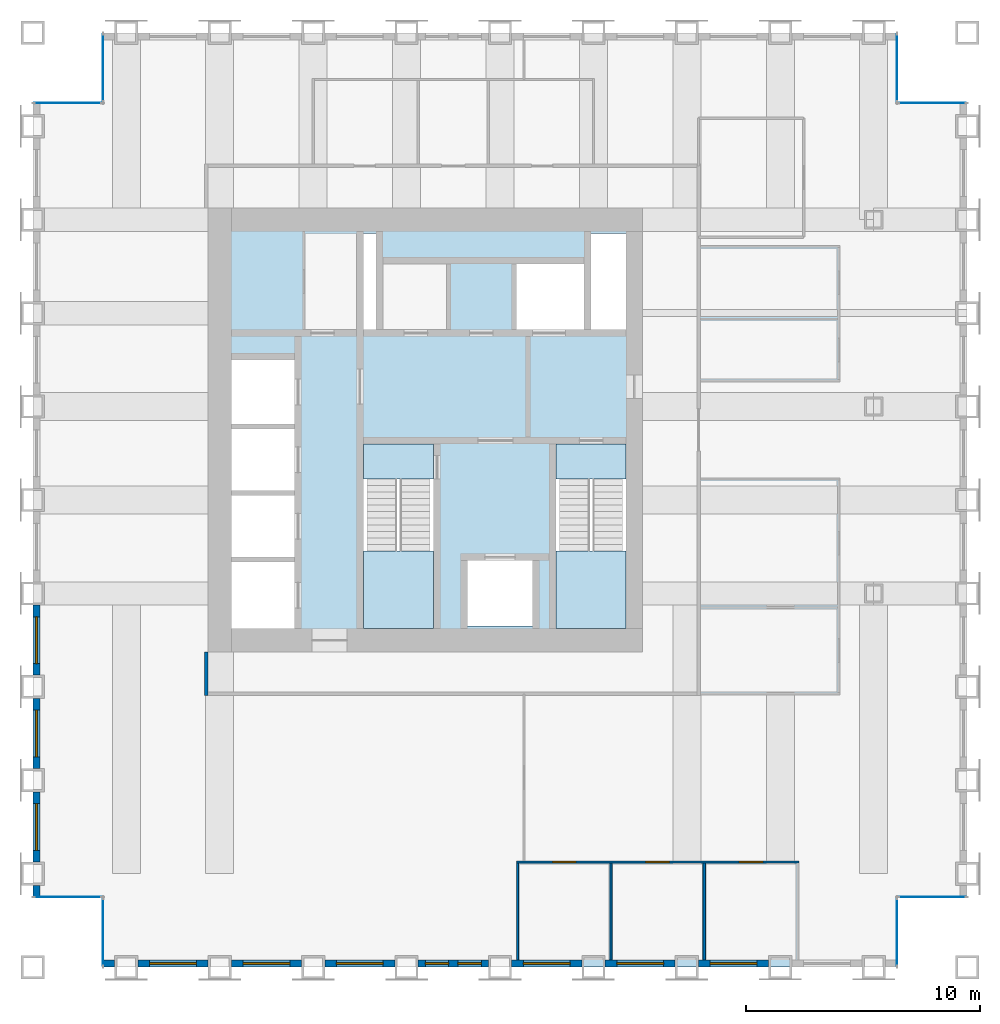
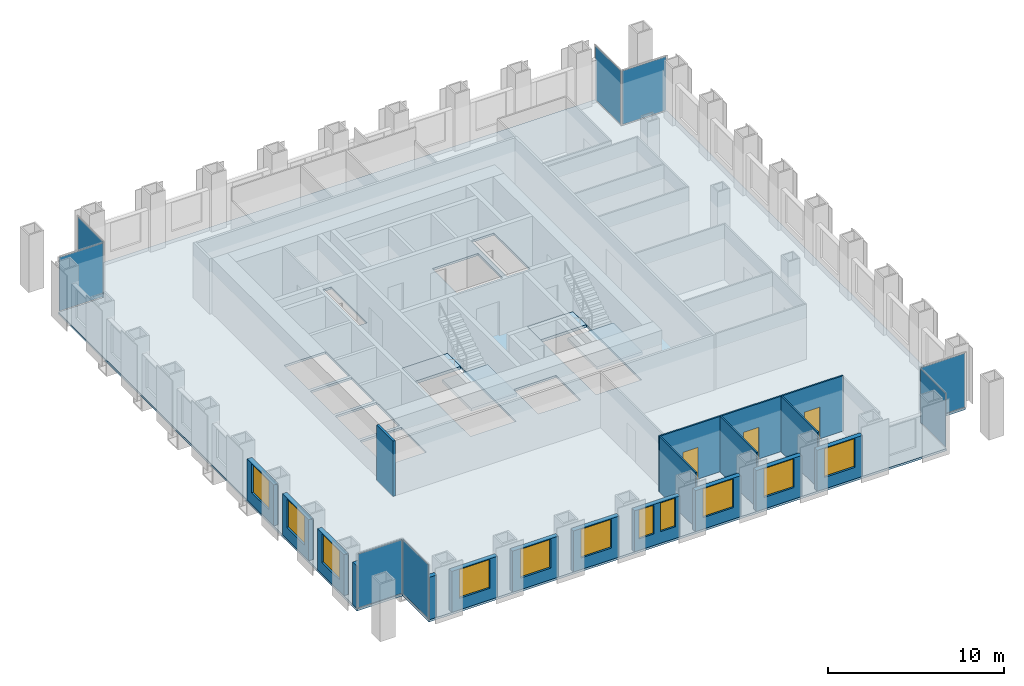
# One storey, part 7 of 11: 17 walls, 11 windows, 8 plates, 5 slabs, 3 doors, 14 openings, 10 elements without a shape of their own.
"""IFC4 building model written with IfcOpenShell, lengths in metres."""

from ifc_helpers import new_model, si_unit, direction, frame, frame_2d, origin, origin_2d, place, context, subcontext, project, spatial, polyline, rectangle, outline, extrude, material, layer, layer_set, type_object, element, fill, aggregate, save


model = new_model("IFC4")

# Units and contexts
model_context = context("Model", 3, precision=1e-05, world=origin(), true_north=direction((0.0, 1.0)))
body_context = subcontext(model_context, "Body", "Model", "MODEL_VIEW")
ifc_project = project(units=[si_unit("LENGTHUNIT", "METRE"), si_unit("AREAUNIT", "SQUARE_METRE"), si_unit("VOLUMEUNIT", "CUBIC_METRE"), si_unit("PLANEANGLEUNIT", "RADIAN"), si_unit("MASSUNIT", "GRAM", prefix="KILO")], contexts=[model_context])

# Site, building, storey
site_placement = place(None, origin())
site = spatial("IfcSite", under=ifc_project, at=site_placement, CompositionType="ELEMENT")
building_placement = place(site_placement, origin())
building = spatial("IfcBuilding", under=site, at=building_placement, Name="Rimbunsela Tower", CompositionType="ELEMENT")
storey_placement = place(building_placement, frame((0.0, 0.0, 242.199951171875)))
storey = spatial("IfcBuildingStorey", under=building, at=storey_placement, Name="L58", CompositionType="ELEMENT", Elevation=242.199951171875)

# Slab
ifc_material_1 = material(Name="Concrete fc' 35 MPa", Category="concrete")
ifc_layer_1 = layer(ifc_material_1, 0.14990234375)
ifc_layer_set_1 = layer_set([ifc_layer_1], Name="Floor slab 150")
slab_type_1 = type_object("IfcSlabType", Name="Floor slab 150", PredefinedType="FLOOR", material=ifc_layer_set_1)
slab_1_placement = place(storey_placement, frame((0.0, 0.0, -0.14990234375)))
element("IfcSlab", 1, at=slab_1_placement, inside=storey, type_object=slab_type_1, Name="Floor slab L58", PredefinedType="FLOOR", context=body_context, shape_type="SweptSolid", body=[
    extrude(outline(polyline([(13.0, 4.0), (47.0, 4.0), (47.0, 7.0), (50.0, 7.0), (50.0, 41.0), (47.0, 41.0), (47.0, 44.0), (13.0, 44.0), (13.0, 41.0), (10.0, 41.0), (10.0, 7.0), (13.0, 7.0), (13.0, 4.0)]), holes=[polyline([(21.199951171875, 21.35009765625), (18.5, 21.35009765625), (18.5, 18.5), (21.199951171875, 18.5), (21.199951171875, 21.35009765625)]), polyline([(21.199951171875, 21.550048828125), (21.199951171875, 24.199951171875), (18.5, 24.199951171875), (18.5, 21.550048828125), (21.199951171875, 21.550048828125)]), polyline([(21.199951171875, 27.050048828125), (18.5, 27.050048828125), (18.5, 24.39990234375), (21.199951171875, 24.39990234375), (21.199951171875, 27.050048828125)]), polyline([(21.199951171875, 30.0), (18.5, 30.0), (18.5, 27.25), (21.199951171875, 27.25), (21.199951171875, 30.0)]), polyline([(27.14990234375, 26.39990234375), (24.14990234375, 26.39990234375), (24.14990234375, 18.60009765625), (27.14990234375, 18.60009765625), (27.14990234375, 26.39990234375)]), polyline([(24.699951171875, 31.300048828125), (24.699951171875, 35.39990234375), (24.14990234375, 35.39990234375), (24.14990234375, 31.300048828125), (24.699951171875, 31.300048828125)]), polyline([(31.39990234375, 21.39990234375), (28.60009765625, 21.39990234375), (28.60009765625, 18.60009765625), (31.39990234375, 18.60009765625), (31.39990234375, 21.39990234375)]), polyline([(33.60009765625, 34.10009765625), (30.60009765625, 34.10009765625), (30.60009765625, 31.300048828125), (33.60009765625, 31.300048828125), (33.60009765625, 34.10009765625)]), polyline([(35.39990234375, 18.60009765625), (35.39990234375, 26.39990234375), (32.39990234375, 26.39990234375), (32.39990234375, 18.60009765625), (35.39990234375, 18.60009765625)]), polyline([(35.39990234375, 31.300048828125), (35.39990234375, 35.39990234375), (33.89990234375, 35.39990234375), (33.89990234375, 31.300048828125), (35.39990234375, 31.300048828125)])]), origin(), (0.0, 0.0, 1.0), 0.14990234375),
])

# Curtain wall, plate
ifc_material_2 = material(Name="Aluminium curtain wall", Category="aluminium")
curtain_wall_type = type_object("IfcCurtainWallType", Name="Corner glazing", PredefinedType="USERDEFINED", material=ifc_material_2)
curtain_wall_1_placement = place(storey_placement, origin())
curtain_wall_1 = element("IfcCurtainWall", 2, at=curtain_wall_1_placement, inside=storey, type_object=curtain_wall_type, Name="Corner glazing L58", ObjectType="CORNER GLAZING", PredefinedType="USERDEFINED")
ifc_material_3 = material(Name="Clear double glazing", Category="glass")
ifc_layer_2 = layer(ifc_material_3, 0.028076171875)
ifc_layer_set_2 = layer_set([ifc_layer_2], Name="Glazed panel clear")
plate_type = type_object("IfcPlateType", Name="Glazed panel clear", PredefinedType="CURTAIN_PANEL", material=ifc_layer_set_2)
plate_1_placement = place(storey_placement, frame((47.0, 5.5, 0.06005859375), z_axis=(0.0, 0.0, 1.0), x_axis=(0.0, 1.0, 0.0)))
plate_1 = element("IfcPlate", 3, at=plate_1_placement, type_object=plate_type, Name="CW5 panel 1.1", PredefinedType="CURTAIN_PANEL", context=body_context, shape_type="SweptSolid", body=[
    extrude(rectangle(XDim=2.8798828125, YDim=0.028076171875, at=origin_2d()), origin(), (0.0, 0.0, 1.0), 3.72998046875),
])
aggregate(curtain_wall_1, [plate_1])

curtain_wall_2_placement = place(storey_placement, origin())
curtain_wall_2 = element("IfcCurtainWall", 4, at=curtain_wall_2_placement, inside=storey, type_object=curtain_wall_type, Name="Corner glazing L58", ObjectType="CORNER GLAZING", PredefinedType="USERDEFINED")
plate_2_placement = place(storey_placement, frame((48.5, 7.0, 0.06005859375), z_axis=(0.0, 0.0, 1.0), x_axis=(1.0, 0.0, 0.0)))
plate_2 = element("IfcPlate", 5, at=plate_2_placement, type_object=plate_type, Name="CW5 panel 1.1", PredefinedType="CURTAIN_PANEL", context=body_context, shape_type="SweptSolid", body=[
    extrude(rectangle(XDim=2.8798828125, YDim=0.028076171875, at=origin_2d()), origin(), (0.0, 0.0, 1.0), 3.72998046875),
])
aggregate(curtain_wall_2, [plate_2])

curtain_wall_3_placement = place(storey_placement, origin())
curtain_wall_3 = element("IfcCurtainWall", 6, at=curtain_wall_3_placement, inside=storey, type_object=curtain_wall_type, Name="Corner glazing L58", ObjectType="CORNER GLAZING", PredefinedType="USERDEFINED")
plate_3_placement = place(storey_placement, frame((48.5, 41.0, 0.06005859375), z_axis=(0.0, 0.0, 1.0), x_axis=(-1.0, 0.0, 0.0)))
plate_3 = element("IfcPlate", 7, at=plate_3_placement, type_object=plate_type, Name="CW5 panel 1.1", PredefinedType="CURTAIN_PANEL", context=body_context, shape_type="SweptSolid", body=[
    extrude(rectangle(XDim=2.8798828125, YDim=0.028076171875, at=origin_2d()), origin(), (0.0, 0.0, 1.0), 3.72998046875),
])
aggregate(curtain_wall_3, [plate_3])

curtain_wall_4_placement = place(storey_placement, origin())
curtain_wall_4 = element("IfcCurtainWall", 8, at=curtain_wall_4_placement, inside=storey, type_object=curtain_wall_type, Name="Corner glazing L58", ObjectType="CORNER GLAZING", PredefinedType="USERDEFINED")
plate_4_placement = place(storey_placement, frame((47.0, 42.5, 0.06005859375), z_axis=(0.0, 0.0, 1.0), x_axis=(0.0, 1.0, 0.0)))
plate_4 = element("IfcPlate", 9, at=plate_4_placement, type_object=plate_type, Name="CW5 panel 1.1", PredefinedType="CURTAIN_PANEL", context=body_context, shape_type="SweptSolid", body=[
    extrude(rectangle(XDim=2.8798828125, YDim=0.028076171875, at=origin_2d()), origin(), (0.0, 0.0, 1.0), 3.72998046875),
])
aggregate(curtain_wall_4, [plate_4])

curtain_wall_5_placement = place(storey_placement, origin())
curtain_wall_5 = element("IfcCurtainWall", 10, at=curtain_wall_5_placement, inside=storey, type_object=curtain_wall_type, Name="Corner glazing L58", ObjectType="CORNER GLAZING", PredefinedType="USERDEFINED")
plate_5_placement = place(storey_placement, frame((13.0, 42.5, 0.06005859375), z_axis=(0.0, 0.0, 1.0), x_axis=(0.0, -1.0, 0.0)))
plate_5 = element("IfcPlate", 11, at=plate_5_placement, type_object=plate_type, Name="CW5 panel 1.1", PredefinedType="CURTAIN_PANEL", context=body_context, shape_type="SweptSolid", body=[
    extrude(rectangle(XDim=2.8798828125, YDim=0.028076171875, at=origin_2d()), origin(), (0.0, 0.0, 1.0), 3.72998046875),
])
aggregate(curtain_wall_5, [plate_5])

curtain_wall_6_placement = place(storey_placement, origin())
curtain_wall_6 = element("IfcCurtainWall", 12, at=curtain_wall_6_placement, inside=storey, type_object=curtain_wall_type, Name="Corner glazing L58", ObjectType="CORNER GLAZING", PredefinedType="USERDEFINED")
plate_6_placement = place(storey_placement, frame((11.5, 41.0, 0.06005859375), z_axis=(0.0, 0.0, 1.0), x_axis=(-1.0, 0.0, 0.0)))
plate_6 = element("IfcPlate", 13, at=plate_6_placement, type_object=plate_type, Name="CW5 panel 1.1", PredefinedType="CURTAIN_PANEL", context=body_context, shape_type="SweptSolid", body=[
    extrude(rectangle(XDim=2.8798828125, YDim=0.028076171875, at=origin_2d()), origin(), (0.0, 0.0, 1.0), 3.72998046875),
])
aggregate(curtain_wall_6, [plate_6])

curtain_wall_7_placement = place(storey_placement, origin())
curtain_wall_7 = element("IfcCurtainWall", 14, at=curtain_wall_7_placement, inside=storey, type_object=curtain_wall_type, Name="Corner glazing L58", ObjectType="CORNER GLAZING", PredefinedType="USERDEFINED")
plate_7_placement = place(storey_placement, frame((11.5, 7.0, 0.06005859375), z_axis=(0.0, 0.0, 1.0), x_axis=(1.0, 0.0, 0.0)))
plate_7 = element("IfcPlate", 15, at=plate_7_placement, type_object=plate_type, Name="CW5 panel 1.1", PredefinedType="CURTAIN_PANEL", context=body_context, shape_type="SweptSolid", body=[
    extrude(rectangle(XDim=2.8798828125, YDim=0.028076171875, at=origin_2d()), origin(), (0.0, 0.0, 1.0), 3.72998046875),
])
aggregate(curtain_wall_7, [plate_7])

curtain_wall_8_placement = place(storey_placement, origin())
curtain_wall_8 = element("IfcCurtainWall", 16, at=curtain_wall_8_placement, inside=storey, type_object=curtain_wall_type, Name="Corner glazing L58", ObjectType="CORNER GLAZING", PredefinedType="USERDEFINED")
plate_8_placement = place(storey_placement, frame((13.0, 5.5, 0.06005859375), z_axis=(0.0, 0.0, 1.0), x_axis=(0.0, -1.0, 0.0)))
plate_8 = element("IfcPlate", 17, at=plate_8_placement, type_object=plate_type, Name="CW5 panel 1.1", PredefinedType="CURTAIN_PANEL", context=body_context, shape_type="SweptSolid", body=[
    extrude(rectangle(XDim=2.8798828125, YDim=0.028076171875, at=origin_2d()), origin(), (0.0, 0.0, 1.0), 3.72998046875),
])
aggregate(curtain_wall_8, [plate_8])

# Stair, slabs
ifc_material_4 = material(Name="Concrete fc' 35 MPa", Category="concrete")
stair_type = type_object("IfcStairType", Name="Exit stair 24 risers", PredefinedType="HALF_TURN_STAIR", material=ifc_material_4)
stair_1_placement = place(storey_placement, origin())
stair_1 = element("IfcStair", 18, at=stair_1_placement, inside=storey, type_object=stair_type, Name="Exit stair A L58", PredefinedType="HALF_TURN_STAIR")
ifc_material_5 = material(Name="Concrete fc' 35 MPa", Category="concrete")
ifc_layer_3 = layer(ifc_material_5, 0.199951171875)
ifc_layer_set_3 = layer_set([ifc_layer_3], Name="Stair landing 200")
slab_type_2 = type_object("IfcSlabType", Name="Stair landing 200", PredefinedType="LANDING", material=ifc_layer_set_3)
slab_2_placement = place(storey_placement, frame((0.0, 0.0, -0.199951171875)))
slab_2 = element("IfcSlab", 19, at=slab_2_placement, type_object=slab_type_2, Name="ST-A landing 1", PredefinedType="LANDING", context=body_context, shape_type="SweptSolid", body=[
    extrude(outline(polyline([(24.14990234375, 24.89990234375), (27.14990234375, 24.89990234375), (27.14990234375, 26.39990234375), (24.14990234375, 26.39990234375), (24.14990234375, 24.89990234375)])), origin(), (0.0, 0.0, 1.0), 0.199951171875),
])
slab_3_placement = place(storey_placement, frame((0.0, 0.0, 1.800048828125)))
slab_3 = element("IfcSlab", 20, at=slab_3_placement, type_object=slab_type_2, Name="ST-A landing 2", PredefinedType="LANDING", context=body_context, shape_type="SweptSolid", body=[
    extrude(outline(polyline([(24.14990234375, 18.5), (27.14990234375, 18.5), (27.14990234375, 21.820068359375), (24.14990234375, 21.820068359375), (24.14990234375, 18.5)])), origin(), (0.0, 0.0, 1.0), 0.199951171875),
])
aggregate(stair_1, [slab_2, slab_3])

stair_2_placement = place(storey_placement, origin())
stair_2 = element("IfcStair", 21, at=stair_2_placement, inside=storey, type_object=stair_type, Name="Exit stair B L58", PredefinedType="HALF_TURN_STAIR")
slab_4_placement = place(storey_placement, frame((0.0, 0.0, -0.199951171875)))
slab_4 = element("IfcSlab", 22, at=slab_4_placement, type_object=slab_type_2, Name="ST-B landing 1", PredefinedType="LANDING", context=body_context, shape_type="SweptSolid", body=[
    extrude(outline(polyline([(32.39990234375, 24.89990234375), (35.39990234375, 24.89990234375), (35.39990234375, 26.39990234375), (32.39990234375, 26.39990234375), (32.39990234375, 24.89990234375)])), origin(), (0.0, 0.0, 1.0), 0.199951171875),
])
slab_5_placement = place(storey_placement, frame((0.0, 0.0, 1.800048828125)))
slab_5 = element("IfcSlab", 23, at=slab_5_placement, type_object=slab_type_2, Name="ST-B landing 2", PredefinedType="LANDING", context=body_context, shape_type="SweptSolid", body=[
    extrude(outline(polyline([(32.39990234375, 18.5), (35.39990234375, 18.5), (35.39990234375, 21.820068359375), (32.39990234375, 21.820068359375), (32.39990234375, 18.5)])), origin(), (0.0, 0.0, 1.0), 0.199951171875),
])
aggregate(stair_2, [slab_4, slab_5])

# Wall, openings, doors
ifc_material_6 = material(Name="Gypsum board on steel studs", Category="steel")
ifc_layer_4 = layer(ifc_material_6, 0.10009765625)
ifc_layer_set_4 = layer_set([ifc_layer_4], Name="Office partition 100")
wall_type_1 = type_object("IfcWallType", Name="Office partition 100", PredefinedType="PARTITIONING", material=ifc_layer_set_4)
wall_1_placement = place(storey_placement, frame((30.699951171875, 8.5, 0.0), z_axis=(0.0, 0.0, 1.0), x_axis=(1.0, 0.0, 0.0)))
wall_1 = element("IfcWall", 24, at=wall_1_placement, inside=storey, type_object=wall_type_1, Name="Office partition", PredefinedType="PARTITIONING", context=body_context, shape_type="SweptSolid", body=[
    extrude(rectangle(XDim=12.10009765625, YDim=0.10009765625, at=frame_2d((6.050048828125, 0.0))), origin(), (0.0, 0.0, 1.0), 3.85009765625),
])
opening_1_placement = place(wall_1_placement, frame((1.550048828125, 0.0, 0.0)))
opening_1 = element("IfcOpeningElement", 25, at=opening_1_placement, cuts=wall_1, Name="Opening D16", PredefinedType="OPENING", context=body_context, shape_type="SweptSolid", body=[
    extrude(rectangle(XDim=1.0, YDim=2.199951171875, at=frame_2d((0.5, 1.10009765625))), frame((0.0, 0.06005859375, 0.0), z_axis=(0.0, -1.0, 0.0), x_axis=(1.0, 0.0, 0.0)), (0.0, 0.0, 1.0), 0.1201171875),
])
opening_2_placement = place(wall_1_placement, frame((5.550048828125, 0.0, 0.0)))
opening_2 = element("IfcOpeningElement", 26, at=opening_2_placement, cuts=wall_1, Name="Opening D16", PredefinedType="OPENING", context=body_context, shape_type="SweptSolid", body=[
    extrude(rectangle(XDim=1.0, YDim=2.199951171875, at=frame_2d((0.5, 1.10009765625))), frame((0.0, 0.06005859375, 0.0), z_axis=(0.0, -1.0, 0.0), x_axis=(1.0, 0.0, 0.0)), (0.0, 0.0, 1.0), 0.1201171875),
])
opening_3_placement = place(wall_1_placement, frame((9.550048828125, 0.0, 0.0)))
opening_3 = element("IfcOpeningElement", 27, at=opening_3_placement, cuts=wall_1, Name="Opening D16", PredefinedType="OPENING", context=body_context, shape_type="SweptSolid", body=[
    extrude(rectangle(XDim=1.0, YDim=2.199951171875, at=frame_2d((0.5, 1.10009765625))), frame((0.0, 0.06005859375, 0.0), z_axis=(0.0, -1.0, 0.0), x_axis=(1.0, 0.0, 0.0)), (0.0, 0.0, 1.0), 0.1201171875),
])
ifc_material_7 = material(Name="Timber door", Category="wood")
door_type = type_object("IfcDoorType", Name="Office door 1000", OperationType="SINGLE_SWING_LEFT", PredefinedType="DOOR", material=ifc_material_7)
door_1_placement = place(opening_1_placement, origin())
door_1 = element("IfcDoor", 28, at=door_1_placement, inside=storey, type_object=door_type, Name="Office door", OperationType="SINGLE_SWING_LEFT", OverallHeight=2.199951171875, OverallWidth=1.0, PredefinedType="DOOR", context=body_context, shape_type="SweptSolid", body=[
    extrude(rectangle(XDim=1.0, YDim=2.199951171875, at=frame_2d((0.5, 1.10009765625))), frame((0.0, 0.02490234375, 0.0), z_axis=(0.0, -1.0, 0.0), x_axis=(1.0, 0.0, 0.0)), (0.0, 0.0, 1.0), 0.050048828125),
])
fill(opening_1, door_1)
door_2_placement = place(opening_2_placement, origin())
door_2 = element("IfcDoor", 29, at=door_2_placement, inside=storey, type_object=door_type, Name="Office door", OperationType="SINGLE_SWING_LEFT", OverallHeight=2.199951171875, OverallWidth=1.0, PredefinedType="DOOR", context=body_context, shape_type="SweptSolid", body=[
    extrude(rectangle(XDim=1.0, YDim=2.199951171875, at=frame_2d((0.5, 1.10009765625))), frame((0.0, 0.02490234375, 0.0), z_axis=(0.0, -1.0, 0.0), x_axis=(1.0, 0.0, 0.0)), (0.0, 0.0, 1.0), 0.050048828125),
])
fill(opening_2, door_2)
door_3_placement = place(opening_3_placement, origin())
door_3 = element("IfcDoor", 30, at=door_3_placement, inside=storey, type_object=door_type, Name="Office door", OperationType="SINGLE_SWING_LEFT", OverallHeight=2.199951171875, OverallWidth=1.0, PredefinedType="DOOR", context=body_context, shape_type="SweptSolid", body=[
    extrude(rectangle(XDim=1.0, YDim=2.199951171875, at=frame_2d((0.5, 1.10009765625))), frame((0.0, 0.02490234375, 0.0), z_axis=(0.0, -1.0, 0.0), x_axis=(1.0, 0.0, 0.0)), (0.0, 0.0, 1.0), 0.050048828125),
])
fill(opening_3, door_3)

# Walls
for number, where, z_axis, x_axis, name in (
    (31, (30.75, 4.300048828125, 0.0), (0.0, 0.0, 1.0), (0.0, 1.0, 0.0), "Office partition"),
    (32, (34.75, 4.300048828125, 0.0), (0.0, 0.0, 1.0), (0.0, 1.0, 0.0), "Office partition"),
    (33, (38.75, 4.300048828125, 0.0), (0.0, 0.0, 1.0), (0.0, 1.0, 0.0), "Office partition"),
):
    element("IfcWall", number, at=place(storey_placement, frame(where, z_axis=z_axis, x_axis=x_axis)), inside=storey, type_object=wall_type_1, Name=name, PredefinedType="PARTITIONING", context=body_context, shape_type="SweptSolid", body=[
        extrude(rectangle(XDim=4.14990234375, YDim=0.10009765625, at=frame_2d((2.074951171875, 0.0))), origin(), (0.0, 0.0, 1.0), 3.85009765625),
    ])
ifc_material_8 = material(Name="Precast concrete fc' 35 MPa", Category="concrete")
ifc_layer_5 = layer(ifc_material_8, 0.300048828125)
ifc_layer_set_5 = layer_set([ifc_layer_5], Name="Precast concrete fc' 35 MPa")
wall_type_2 = type_object("IfcWallType", Name="Precast facade panel 300", PredefinedType="ELEMENTEDWALL", material=ifc_layer_set_5)
wall_2_placement = place(storey_placement, frame((13.030029296875, 4.14990234375, 0.0), z_axis=(0.0, 0.0, 1.0), x_axis=(1.0, 0.0, 0.0)))
element("IfcWall", 34, at=wall_2_placement, inside=storey, type_object=wall_type_2, Name="Facade panel S L58", PredefinedType="ELEMENTEDWALL", context=body_context, shape_type="SweptSolid", body=[
    extrude(rectangle(XDim=0.469970703125, YDim=0.300048828125, at=frame_2d((0.23486328125, 0.0))), origin(), (0.0, 0.0, 1.0), 2.949951171875),
])

# Wall, opening, window
wall_3_placement = place(storey_placement, frame((14.5, 4.14990234375, 0.0), z_axis=(0.0, 0.0, 1.0), x_axis=(1.0, 0.0, 0.0)))
wall_3 = element("IfcWall", 35, at=wall_3_placement, inside=storey, type_object=wall_type_2, Name="Facade panel S L58", PredefinedType="ELEMENTEDWALL", context=body_context, shape_type="SweptSolid", body=[
    extrude(rectangle(XDim=3.0, YDim=0.300048828125, at=frame_2d((1.5, 0.0))), origin(), (0.0, 0.0, 1.0), 2.85009765625),
])
opening_4_placement = place(wall_3_placement, frame((0.5, 0.0, 0.800048828125)))
opening_4 = element("IfcOpeningElement", 36, at=opening_4_placement, cuts=wall_3, Name="Opening W1", PredefinedType="OPENING", context=body_context, shape_type="SweptSolid", body=[
    extrude(rectangle(XDim=2.0, YDim=2.0, at=frame_2d((1.0, 1.0))), frame((0.0, 0.159912109375, 0.0), z_axis=(0.0, -1.0, 0.0), x_axis=(1.0, 0.0, 0.0)), (0.0, 0.0, 1.0), 0.320068359375),
])
ifc_material_9 = material(Name="Clear glass in aluminium frame", Category="aluminium")
window_type_1 = type_object("IfcWindowType", Name="Window W1 2000x2000", PartitioningType="DOUBLE_PANEL_VERTICAL", PredefinedType="WINDOW", material=ifc_material_9)
window_1_placement = place(opening_4_placement, origin())
window_1 = element("IfcWindow", 37, at=window_1_placement, inside=storey, type_object=window_type_1, Name="Window L58", OverallHeight=2.0, OverallWidth=2.0, PartitioningType="SINGLE_PANEL", PredefinedType="WINDOW", context=body_context, shape_type="SweptSolid", body=[
    extrude(rectangle(XDim=2.0, YDim=2.0, at=frame_2d((1.0, 1.0))), frame((0.0, 0.030029296875, 0.0), z_axis=(0.0, -1.0, 0.0), x_axis=(1.0, 0.0, 0.0)), (0.0, 0.0, 1.0), 0.06005859375),
])
fill(opening_4, window_1)

wall_4_placement = place(storey_placement, frame((18.5, 4.14990234375, 0.0), z_axis=(0.0, 0.0, 1.0), x_axis=(1.0, 0.0, 0.0)))
wall_4 = element("IfcWall", 38, at=wall_4_placement, inside=storey, type_object=wall_type_2, Name="Facade panel S L58", PredefinedType="ELEMENTEDWALL", context=body_context, shape_type="SweptSolid", body=[
    extrude(rectangle(XDim=3.0, YDim=0.300048828125, at=frame_2d((1.5, 0.0))), origin(), (0.0, 0.0, 1.0), 2.85009765625),
])
opening_5_placement = place(wall_4_placement, frame((0.5, 0.0, 0.800048828125)))
opening_5 = element("IfcOpeningElement", 39, at=opening_5_placement, cuts=wall_4, Name="Opening W1", PredefinedType="OPENING", context=body_context, shape_type="SweptSolid", body=[
    extrude(rectangle(XDim=2.0, YDim=2.0, at=frame_2d((1.0, 1.0))), frame((0.0, 0.159912109375, 0.0), z_axis=(0.0, -1.0, 0.0), x_axis=(1.0, 0.0, 0.0)), (0.0, 0.0, 1.0), 0.320068359375),
])
window_2_placement = place(opening_5_placement, origin())
window_2 = element("IfcWindow", 40, at=window_2_placement, inside=storey, type_object=window_type_1, Name="Window L58", OverallHeight=2.0, OverallWidth=2.0, PartitioningType="SINGLE_PANEL", PredefinedType="WINDOW", context=body_context, shape_type="SweptSolid", body=[
    extrude(rectangle(XDim=2.0, YDim=2.0, at=frame_2d((1.0, 1.0))), frame((0.0, 0.030029296875, 0.0), z_axis=(0.0, -1.0, 0.0), x_axis=(1.0, 0.0, 0.0)), (0.0, 0.0, 1.0), 0.06005859375),
])
fill(opening_5, window_2)

wall_5_placement = place(storey_placement, frame((22.5, 4.14990234375, 0.0), z_axis=(0.0, 0.0, 1.0), x_axis=(1.0, 0.0, 0.0)))
wall_5 = element("IfcWall", 41, at=wall_5_placement, inside=storey, type_object=wall_type_2, Name="Facade panel S L58", PredefinedType="ELEMENTEDWALL", context=body_context, shape_type="SweptSolid", body=[
    extrude(rectangle(XDim=3.0, YDim=0.300048828125, at=frame_2d((1.5, 0.0))), origin(), (0.0, 0.0, 1.0), 2.85009765625),
])
opening_6_placement = place(wall_5_placement, frame((0.5, 0.0, 0.800048828125)))
opening_6 = element("IfcOpeningElement", 42, at=opening_6_placement, cuts=wall_5, Name="Opening W1", PredefinedType="OPENING", context=body_context, shape_type="SweptSolid", body=[
    extrude(rectangle(XDim=2.0, YDim=2.0, at=frame_2d((1.0, 1.0))), frame((0.0, 0.159912109375, 0.0), z_axis=(0.0, -1.0, 0.0), x_axis=(1.0, 0.0, 0.0)), (0.0, 0.0, 1.0), 0.320068359375),
])
window_3_placement = place(opening_6_placement, origin())
window_3 = element("IfcWindow", 43, at=window_3_placement, inside=storey, type_object=window_type_1, Name="Window L58", OverallHeight=2.0, OverallWidth=2.0, PartitioningType="SINGLE_PANEL", PredefinedType="WINDOW", context=body_context, shape_type="SweptSolid", body=[
    extrude(rectangle(XDim=2.0, YDim=2.0, at=frame_2d((1.0, 1.0))), frame((0.0, 0.030029296875, 0.0), z_axis=(0.0, -1.0, 0.0), x_axis=(1.0, 0.0, 0.0)), (0.0, 0.0, 1.0), 0.06005859375),
])
fill(opening_6, window_3)

# Wall, openings, windows
wall_6_placement = place(storey_placement, frame((26.5, 4.14990234375, 0.0), z_axis=(0.0, 0.0, 1.0), x_axis=(1.0, 0.0, 0.0)))
wall_6 = element("IfcWall", 44, at=wall_6_placement, inside=storey, type_object=wall_type_2, Name="Facade panel S L58", PredefinedType="ELEMENTEDWALL", context=body_context, shape_type="SweptSolid", body=[
    extrude(rectangle(XDim=3.0, YDim=0.300048828125, at=frame_2d((1.5, 0.0))), origin(), (0.0, 0.0, 1.0), 2.85009765625),
])
opening_7_placement = place(wall_6_placement, frame((0.300048828125, 0.0, 0.800048828125)))
opening_7 = element("IfcOpeningElement", 45, at=opening_7_placement, cuts=wall_6, Name="Opening W5", PredefinedType="OPENING", context=body_context, shape_type="SweptSolid", body=[
    extrude(rectangle(XDim=1.0, YDim=2.0, at=frame_2d((0.5, 1.0))), frame((0.0, 0.159912109375, 0.0), z_axis=(0.0, -1.0, 0.0), x_axis=(1.0, 0.0, 0.0)), (0.0, 0.0, 1.0), 0.320068359375),
])
opening_8_placement = place(wall_6_placement, frame((1.699951171875, 0.0, 0.800048828125)))
opening_8 = element("IfcOpeningElement", 46, at=opening_8_placement, cuts=wall_6, Name="Opening W5", PredefinedType="OPENING", context=body_context, shape_type="SweptSolid", body=[
    extrude(rectangle(XDim=1.0, YDim=2.0, at=frame_2d((0.5, 1.0))), frame((0.0, 0.159912109375, 0.0), z_axis=(0.0, -1.0, 0.0), x_axis=(1.0, 0.0, 0.0)), (0.0, 0.0, 1.0), 0.320068359375),
])
ifc_material_10 = material(Name="Clear glass in aluminium frame", Category="aluminium")
window_type_2 = type_object("IfcWindowType", Name="Window W5 1000x2000", PartitioningType="SINGLE_PANEL", PredefinedType="WINDOW", material=ifc_material_10)
window_4_placement = place(opening_7_placement, origin())
window_4 = element("IfcWindow", 47, at=window_4_placement, inside=storey, type_object=window_type_2, Name="Window L58", OverallHeight=2.0, OverallWidth=1.0, PartitioningType="SINGLE_PANEL", PredefinedType="WINDOW", context=body_context, shape_type="SweptSolid", body=[
    extrude(rectangle(XDim=1.0, YDim=2.0, at=frame_2d((0.5, 1.0))), frame((0.0, 0.030029296875, 0.0), z_axis=(0.0, -1.0, 0.0), x_axis=(1.0, 0.0, 0.0)), (0.0, 0.0, 1.0), 0.06005859375),
])
fill(opening_7, window_4)
window_5_placement = place(opening_8_placement, origin())
window_5 = element("IfcWindow", 48, at=window_5_placement, inside=storey, type_object=window_type_2, Name="Window L58", OverallHeight=2.0, OverallWidth=1.0, PartitioningType="SINGLE_PANEL", PredefinedType="WINDOW", context=body_context, shape_type="SweptSolid", body=[
    extrude(rectangle(XDim=1.0, YDim=2.0, at=frame_2d((0.5, 1.0))), frame((0.0, 0.030029296875, 0.0), z_axis=(0.0, -1.0, 0.0), x_axis=(1.0, 0.0, 0.0)), (0.0, 0.0, 1.0), 0.06005859375),
])
fill(opening_8, window_5)

# Wall, opening, window
wall_7_placement = place(storey_placement, frame((30.5, 4.14990234375, 0.0), z_axis=(0.0, 0.0, 1.0), x_axis=(1.0, 0.0, 0.0)))
wall_7 = element("IfcWall", 49, at=wall_7_placement, inside=storey, type_object=wall_type_2, Name="Facade panel S L58", PredefinedType="ELEMENTEDWALL", context=body_context, shape_type="SweptSolid", body=[
    extrude(rectangle(XDim=3.0, YDim=0.300048828125, at=frame_2d((1.5, 0.0))), origin(), (0.0, 0.0, 1.0), 2.85009765625),
])
opening_9_placement = place(wall_7_placement, frame((0.5, 0.0, 0.800048828125)))
opening_9 = element("IfcOpeningElement", 50, at=opening_9_placement, cuts=wall_7, Name="Opening W1", PredefinedType="OPENING", context=body_context, shape_type="SweptSolid", body=[
    extrude(rectangle(XDim=2.0, YDim=2.0, at=frame_2d((1.0, 1.0))), frame((0.0, 0.159912109375, 0.0), z_axis=(0.0, -1.0, 0.0), x_axis=(1.0, 0.0, 0.0)), (0.0, 0.0, 1.0), 0.320068359375),
])
window_6_placement = place(opening_9_placement, origin())
window_6 = element("IfcWindow", 51, at=window_6_placement, inside=storey, type_object=window_type_1, Name="Window L58", OverallHeight=2.0, OverallWidth=2.0, PartitioningType="SINGLE_PANEL", PredefinedType="WINDOW", context=body_context, shape_type="SweptSolid", body=[
    extrude(rectangle(XDim=2.0, YDim=2.0, at=frame_2d((1.0, 1.0))), frame((0.0, 0.030029296875, 0.0), z_axis=(0.0, -1.0, 0.0), x_axis=(1.0, 0.0, 0.0)), (0.0, 0.0, 1.0), 0.06005859375),
])
fill(opening_9, window_6)

wall_8_placement = place(storey_placement, frame((34.5, 4.14990234375, 0.0), z_axis=(0.0, 0.0, 1.0), x_axis=(1.0, 0.0, 0.0)))
wall_8 = element("IfcWall", 52, at=wall_8_placement, inside=storey, type_object=wall_type_2, Name="Facade panel S L58", PredefinedType="ELEMENTEDWALL", context=body_context, shape_type="SweptSolid", body=[
    extrude(rectangle(XDim=3.0, YDim=0.300048828125, at=frame_2d((1.5, 0.0))), origin(), (0.0, 0.0, 1.0), 2.85009765625),
])
opening_10_placement = place(wall_8_placement, frame((0.5, 0.0, 0.800048828125)))
opening_10 = element("IfcOpeningElement", 53, at=opening_10_placement, cuts=wall_8, Name="Opening W1", PredefinedType="OPENING", context=body_context, shape_type="SweptSolid", body=[
    extrude(rectangle(XDim=2.0, YDim=2.0, at=frame_2d((1.0, 1.0))), frame((0.0, 0.159912109375, 0.0), z_axis=(0.0, -1.0, 0.0), x_axis=(1.0, 0.0, 0.0)), (0.0, 0.0, 1.0), 0.320068359375),
])
window_7_placement = place(opening_10_placement, origin())
window_7 = element("IfcWindow", 54, at=window_7_placement, inside=storey, type_object=window_type_1, Name="Window L58", OverallHeight=2.0, OverallWidth=2.0, PartitioningType="SINGLE_PANEL", PredefinedType="WINDOW", context=body_context, shape_type="SweptSolid", body=[
    extrude(rectangle(XDim=2.0, YDim=2.0, at=frame_2d((1.0, 1.0))), frame((0.0, 0.030029296875, 0.0), z_axis=(0.0, -1.0, 0.0), x_axis=(1.0, 0.0, 0.0)), (0.0, 0.0, 1.0), 0.06005859375),
])
fill(opening_10, window_7)

wall_9_placement = place(storey_placement, frame((38.5, 4.14990234375, 0.0), z_axis=(0.0, 0.0, 1.0), x_axis=(1.0, 0.0, 0.0)))
wall_9 = element("IfcWall", 55, at=wall_9_placement, inside=storey, type_object=wall_type_2, Name="Facade panel S L58", PredefinedType="ELEMENTEDWALL", context=body_context, shape_type="SweptSolid", body=[
    extrude(rectangle(XDim=3.0, YDim=0.300048828125, at=frame_2d((1.5, 0.0))), origin(), (0.0, 0.0, 1.0), 2.85009765625),
])
opening_11_placement = place(wall_9_placement, frame((0.5, 0.0, 0.800048828125)))
opening_11 = element("IfcOpeningElement", 56, at=opening_11_placement, cuts=wall_9, Name="Opening W1", PredefinedType="OPENING", context=body_context, shape_type="SweptSolid", body=[
    extrude(rectangle(XDim=2.0, YDim=2.0, at=frame_2d((1.0, 1.0))), frame((0.0, 0.159912109375, 0.0), z_axis=(0.0, -1.0, 0.0), x_axis=(1.0, 0.0, 0.0)), (0.0, 0.0, 1.0), 0.320068359375),
])
window_8_placement = place(opening_11_placement, origin())
window_8 = element("IfcWindow", 57, at=window_8_placement, inside=storey, type_object=window_type_1, Name="Window L58", OverallHeight=2.0, OverallWidth=2.0, PartitioningType="SINGLE_PANEL", PredefinedType="WINDOW", context=body_context, shape_type="SweptSolid", body=[
    extrude(rectangle(XDim=2.0, YDim=2.0, at=frame_2d((1.0, 1.0))), frame((0.0, 0.030029296875, 0.0), z_axis=(0.0, -1.0, 0.0), x_axis=(1.0, 0.0, 0.0)), (0.0, 0.0, 1.0), 0.06005859375),
])
fill(opening_11, window_8)

# Wall
wall_10_placement = place(storey_placement, frame((10.14990234375, 7.5, 0.0), z_axis=(0.0, 0.0, 1.0), x_axis=(0.0, -1.0, 0.0)))
element("IfcWall", 58, at=wall_10_placement, inside=storey, type_object=wall_type_2, Name="Facade panel W L58", PredefinedType="ELEMENTEDWALL", context=body_context, shape_type="SweptSolid", body=[
    extrude(rectangle(XDim=0.469970703125, YDim=0.300048828125, at=frame_2d((0.23486328125, 0.0))), origin(), (0.0, 0.0, 1.0), 2.949951171875),
])

# Wall, opening, window
wall_11_placement = place(storey_placement, frame((10.14990234375, 11.5, 0.0), z_axis=(0.0, 0.0, 1.0), x_axis=(0.0, -1.0, 0.0)))
wall_11 = element("IfcWall", 59, at=wall_11_placement, inside=storey, type_object=wall_type_2, Name="Facade panel W L58", PredefinedType="ELEMENTEDWALL", context=body_context, shape_type="SweptSolid", body=[
    extrude(rectangle(XDim=3.0, YDim=0.300048828125, at=frame_2d((1.5, 0.0))), origin(), (0.0, 0.0, 1.0), 2.85009765625),
])
opening_12_placement = place(wall_11_placement, frame((0.5, 0.0, 0.800048828125)))
opening_12 = element("IfcOpeningElement", 60, at=opening_12_placement, cuts=wall_11, Name="Opening W1", PredefinedType="OPENING", context=body_context, shape_type="SweptSolid", body=[
    extrude(rectangle(XDim=2.0, YDim=2.0, at=frame_2d((1.0, 1.0))), frame((0.0, 0.159912109375, 0.0), z_axis=(0.0, -1.0, 0.0), x_axis=(1.0, 0.0, 0.0)), (0.0, 0.0, 1.0), 0.320068359375),
])
window_9_placement = place(opening_12_placement, origin())
window_9 = element("IfcWindow", 61, at=window_9_placement, inside=storey, type_object=window_type_1, Name="Window L58", OverallHeight=2.0, OverallWidth=2.0, PartitioningType="SINGLE_PANEL", PredefinedType="WINDOW", context=body_context, shape_type="SweptSolid", body=[
    extrude(rectangle(XDim=2.0, YDim=2.0, at=frame_2d((1.0, 1.0))), frame((0.0, 0.030029296875, 0.0), z_axis=(0.0, -1.0, 0.0), x_axis=(1.0, 0.0, 0.0)), (0.0, 0.0, 1.0), 0.06005859375),
])
fill(opening_12, window_9)

wall_12_placement = place(storey_placement, frame((10.14990234375, 15.5, 0.0), z_axis=(0.0, 0.0, 1.0), x_axis=(0.0, -1.0, 0.0)))
wall_12 = element("IfcWall", 62, at=wall_12_placement, inside=storey, type_object=wall_type_2, Name="Facade panel W L58", PredefinedType="ELEMENTEDWALL", context=body_context, shape_type="SweptSolid", body=[
    extrude(rectangle(XDim=3.0, YDim=0.300048828125, at=frame_2d((1.5, 0.0))), origin(), (0.0, 0.0, 1.0), 2.85009765625),
])
opening_13_placement = place(wall_12_placement, frame((0.5, 0.0, 0.800048828125)))
opening_13 = element("IfcOpeningElement", 63, at=opening_13_placement, cuts=wall_12, Name="Opening W1", PredefinedType="OPENING", context=body_context, shape_type="SweptSolid", body=[
    extrude(rectangle(XDim=2.0, YDim=2.0, at=frame_2d((1.0, 1.0))), frame((0.0, 0.159912109375, 0.0), z_axis=(0.0, -1.0, 0.0), x_axis=(1.0, 0.0, 0.0)), (0.0, 0.0, 1.0), 0.320068359375),
])
window_10_placement = place(opening_13_placement, origin())
window_10 = element("IfcWindow", 64, at=window_10_placement, inside=storey, type_object=window_type_1, Name="Window L58", OverallHeight=2.0, OverallWidth=2.0, PartitioningType="SINGLE_PANEL", PredefinedType="WINDOW", context=body_context, shape_type="SweptSolid", body=[
    extrude(rectangle(XDim=2.0, YDim=2.0, at=frame_2d((1.0, 1.0))), frame((0.0, 0.030029296875, 0.0), z_axis=(0.0, -1.0, 0.0), x_axis=(1.0, 0.0, 0.0)), (0.0, 0.0, 1.0), 0.06005859375),
])
fill(opening_13, window_10)

wall_13_placement = place(storey_placement, frame((10.14990234375, 19.5, 0.0), z_axis=(0.0, 0.0, 1.0), x_axis=(0.0, -1.0, 0.0)))
wall_13 = element("IfcWall", 65, at=wall_13_placement, inside=storey, type_object=wall_type_2, Name="Facade panel W L58", PredefinedType="ELEMENTEDWALL", context=body_context, shape_type="SweptSolid", body=[
    extrude(rectangle(XDim=3.0, YDim=0.300048828125, at=frame_2d((1.5, 0.0))), origin(), (0.0, 0.0, 1.0), 2.85009765625),
])
opening_14_placement = place(wall_13_placement, frame((0.5, 0.0, 0.800048828125)))
opening_14 = element("IfcOpeningElement", 66, at=opening_14_placement, cuts=wall_13, Name="Opening W1", PredefinedType="OPENING", context=body_context, shape_type="SweptSolid", body=[
    extrude(rectangle(XDim=2.0, YDim=2.0, at=frame_2d((1.0, 1.0))), frame((0.0, 0.159912109375, 0.0), z_axis=(0.0, -1.0, 0.0), x_axis=(1.0, 0.0, 0.0)), (0.0, 0.0, 1.0), 0.320068359375),
])
window_11_placement = place(opening_14_placement, origin())
window_11 = element("IfcWindow", 67, at=window_11_placement, inside=storey, type_object=window_type_1, Name="Window L58", OverallHeight=2.0, OverallWidth=2.0, PartitioningType="SINGLE_PANEL", PredefinedType="WINDOW", context=body_context, shape_type="SweptSolid", body=[
    extrude(rectangle(XDim=2.0, YDim=2.0, at=frame_2d((1.0, 1.0))), frame((0.0, 0.030029296875, 0.0), z_axis=(0.0, -1.0, 0.0), x_axis=(1.0, 0.0, 0.0)), (0.0, 0.0, 1.0), 0.06005859375),
])
fill(opening_14, window_11)

# Wall
ifc_material_11 = material(Name="Fire-rated gypsum board on steel studs, EI 60", Category="steel")
ifc_layer_6 = layer(ifc_material_11, 0.14990234375)
ifc_layer_set_6 = layer_set([ifc_layer_6], Name="Rated corridor wall 150")
wall_type_3 = type_object("IfcWallType", Name="Rated corridor wall 150", PredefinedType="PARTITIONING", material=ifc_layer_set_6)
wall_14_placement = place(storey_placement, frame((17.425048828125, 15.625, 0.0), z_axis=(0.0, 0.0, 1.0), x_axis=(0.0, 1.0, 0.0)))
element("IfcWall", 68, at=wall_14_placement, inside=storey, type_object=wall_type_3, Name="Corridor end wall south", PredefinedType="PARTITIONING", context=body_context, shape_type="SweptSolid", body=[
    extrude(rectangle(XDim=1.875, YDim=0.14990234375, at=frame_2d((0.9375, 0.0))), origin(), (0.0, 0.0, 1.0), 3.85009765625),
])

save(model, "model.ifc")
